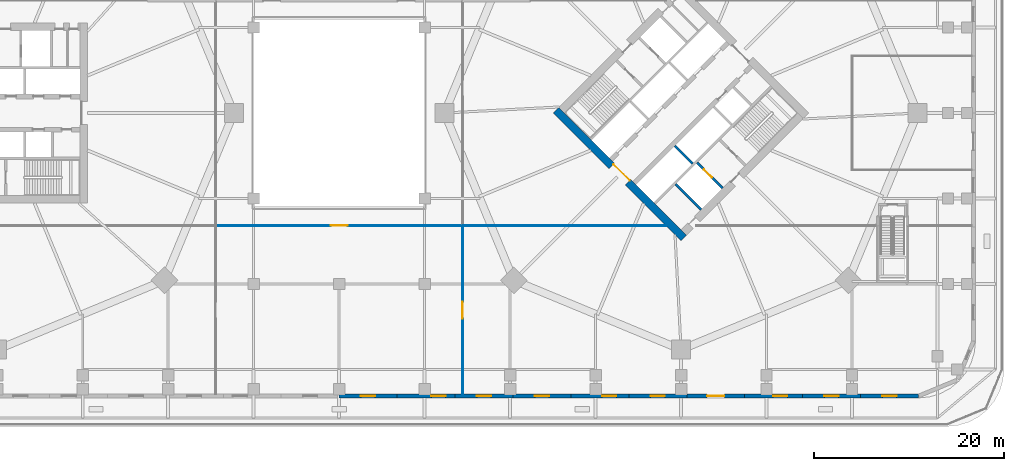
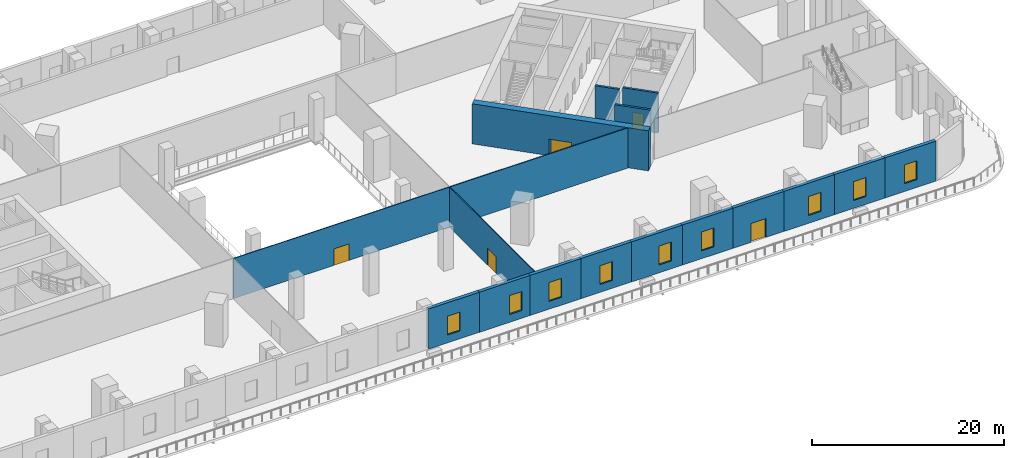
# One storey, part 7 of 19: 17 walls, 9 windows, 5 doors, 14 openings.
"""IFC4 building model written with IfcOpenShell, lengths in metres."""

from ifc_helpers import new_model, si_unit, direction, frame, frame_2d, origin, place, context, subcontext, project, spatial, rectangle, extrude, material, layer, layer_set, type_object, element, fill, save


model = new_model("IFC4")

# Units and contexts
model_context = context("Model", 3, precision=1e-05, world=origin(), true_north=direction((0.0, 1.0)))
body_context = subcontext(model_context, "Body", "Model", "MODEL_VIEW")
ifc_project = project(units=[si_unit("LENGTHUNIT", "METRE"), si_unit("AREAUNIT", "SQUARE_METRE"), si_unit("VOLUMEUNIT", "CUBIC_METRE"), si_unit("PLANEANGLEUNIT", "RADIAN"), si_unit("MASSUNIT", "GRAM", prefix="KILO")], contexts=[model_context])

# Site, building, storey
site_placement = place(None, origin())
site = spatial("IfcSite", under=ifc_project, at=site_placement, CompositionType="ELEMENT")
building_placement = place(site_placement, origin())
building = spatial("IfcBuilding", under=site, at=building_placement, Name="Ogive Gate Towers", CompositionType="ELEMENT")
storey_placement = place(building_placement, frame((0.0, 0.0, 12.60009765625)))
storey = spatial("IfcBuildingStorey", under=building, at=storey_placement, Name="L02", CompositionType="ELEMENT", Elevation=12.60009765625)

# Wall, opening, door
ifc_material_1 = material(Name="Concrete C60/75", Category="concrete")
ifc_layer_1 = layer(ifc_material_1, 0.800048828125)
ifc_layer_set_1 = layer_set([ifc_layer_1], Name="Core wall 800 mm")
wall_type_1 = type_object("IfcWallType", Name="Core wall 800 mm", PredefinedType="SHEAR", material=ifc_layer_set_1)
wall_1_placement = place(storey_placement, frame((36.28271484375, -13.152099609375, 0.0), z_axis=(0.0, 0.0, 1.0), x_axis=(-0.707106781187, 0.707106781187, 0.0)))
wall_1 = element("IfcWall", 1, at=wall_1_placement, inside=storey, type_object=wall_type_1, Name="T2 L02 Core wall 800 mm", PredefinedType="SHEAR", context=body_context, shape_type="SweptSolid", body=[
    extrude(rectangle(XDim=18.999755859375, YDim=0.800048828125, at=frame_2d((9.5, 0.0))), origin(), (0.0, 0.0, 1.0), 5.099853515625),
])
opening_1_placement = place(wall_1_placement, frame((8.300048828125, 0.0, 0.0)))
opening_1 = element("IfcOpeningElement", 2, at=opening_1_placement, cuts=wall_1, Name="Opening KD-T2-L02-01", PredefinedType="OPENING", context=body_context, shape_type="SweptSolid", body=[
    extrude(rectangle(XDim=2.39990234375, YDim=2.10009765625, at=frame_2d((1.199951171875, 1.050048828125))), frame((0.0, 0.41015625, 0.0), z_axis=(0.0, -1.0, 0.0), x_axis=(1.0, 0.0, 0.0)), (0.0, 0.0, 1.0), 0.820068359375),
])
ifc_material_2 = material(Name="Steel fire door", Category="steel")
door_type_1 = type_object("IfcDoorType", Name="Core double door FD60S 2400 x 2100", OperationType="DOUBLE_DOOR_SINGLE_SWING", PredefinedType="DOOR", material=ifc_material_2)
door_1_placement = place(opening_1_placement, origin())
door_1 = element("IfcDoor", 3, at=door_1_placement, inside=storey, type_object=door_type_1, Name="T2 L02 Core door double", OperationType="DOUBLE_DOOR_SINGLE_SWING", OverallHeight=2.10009765625, OverallWidth=2.39990234375, PredefinedType="DOOR", context=body_context, shape_type="SweptSolid", body=[
    extrude(rectangle(XDim=2.39990234375, YDim=2.10009765625, at=frame_2d((1.199951171875, 1.050048828125))), frame((0.0, -0.22509765625, 0.0), z_axis=(0.0, -1.0, 0.0), x_axis=(1.0, 0.0, 0.0)), (0.0, 0.0, 1.0), 0.050048828125),
])
fill(opening_1, door_1)

ifc_material_3 = material(Name="Gypsum board partition")
ifc_layer_2 = layer(ifc_material_3, 0.10009765625)
ifc_layer_set_2 = layer_set([ifc_layer_2], Name="Partition wall 100")
wall_type_2 = type_object("IfcWallType", Name="Partition wall 100", PredefinedType="PARTITIONING", material=ifc_layer_set_2)
wall_2_placement = place(storey_placement, frame((-13.0, -11.85009765625, 0.0), z_axis=(0.0, 0.0, 1.0), x_axis=(1.0, 0.0, 0.0)))
wall_2 = element("IfcWall", 4, at=wall_2_placement, inside=storey, type_object=wall_type_2, Name="L02 partition 049", PredefinedType="PARTITIONING", context=body_context, shape_type="SweptSolid", body=[
    extrude(rectangle(XDim=26.0, YDim=0.10009765625, at=frame_2d((13.0, 0.0))), origin(), (0.0, 0.0, 1.0), 5.099853515625),
])
opening_2_placement = place(wall_2_placement, frame((12.10009765625, 0.0, 0.0)))
opening_2 = element("IfcOpeningElement", 5, at=opening_2_placement, cuts=wall_2, Name="Opening PO171", PredefinedType="OPENING", context=body_context, shape_type="SweptSolid", body=[
    extrude(rectangle(XDim=1.800048828125, YDim=2.10009765625, at=frame_2d((0.89990234375, 1.050048828125))), frame((0.0, 0.06005859375, 0.0), z_axis=(0.0, -1.0, 0.0), x_axis=(1.0, 0.0, 0.0)), (0.0, 0.0, 1.0), 0.1201171875),
])
ifc_material_4 = material(Name="Timber door", Category="wood")
door_type_2 = type_object("IfcDoorType", Name="Double door 1800 x 2100", OperationType="NOTDEFINED", PredefinedType="DOOR", material=ifc_material_4)
door_2_placement = place(opening_2_placement, origin())
door_2 = element("IfcDoor", 6, at=door_2_placement, inside=storey, type_object=door_type_2, Name="Door PO171", OperationType="DOUBLE_DOOR_DOUBLE_SWING", OverallHeight=2.10009765625, OverallWidth=1.800048828125, PredefinedType="DOOR", context=body_context, shape_type="SweptSolid", body=[
    extrude(rectangle(XDim=1.800048828125, YDim=2.10009765625, at=frame_2d((0.89990234375, 1.050048828125))), frame((0.0, 0.02490234375, 0.0), z_axis=(0.0, -1.0, 0.0), x_axis=(1.0, 0.0, 0.0)), (0.0, 0.0, 1.0), 0.050048828125),
])
fill(opening_2, door_2)

wall_3_placement = place(storey_placement, frame((13.0, -29.60009765625, 0.0), z_axis=(0.0, 0.0, 1.0), x_axis=(0.0, 1.0, 0.0)))
wall_3 = element("IfcWall", 7, at=wall_3_placement, inside=storey, type_object=wall_type_2, Name="L02 partition 053", PredefinedType="PARTITIONING", context=body_context, shape_type="SweptSolid", body=[
    extrude(rectangle(XDim=17.7001953125, YDim=0.10009765625, at=frame_2d((8.85009765625, 0.0))), origin(), (0.0, 0.0, 1.0), 5.099853515625),
])
opening_3_placement = place(wall_3_placement, frame((7.949951171875, 0.0, 0.0)))
opening_3 = element("IfcOpeningElement", 8, at=opening_3_placement, cuts=wall_3, Name="Opening PO173", PredefinedType="OPENING", context=body_context, shape_type="SweptSolid", body=[
    extrude(rectangle(XDim=1.800048828125, YDim=2.10009765625, at=frame_2d((0.89990234375, 1.050048828125))), frame((0.0, 0.06005859375, 0.0), z_axis=(0.0, -1.0, 0.0), x_axis=(1.0, 0.0, 0.0)), (0.0, 0.0, 1.0), 0.1201171875),
])
door_3_placement = place(opening_3_placement, origin())
door_3 = element("IfcDoor", 9, at=door_3_placement, inside=storey, type_object=door_type_2, Name="Door PO173", OperationType="DOUBLE_DOOR_DOUBLE_SWING", OverallHeight=2.10009765625, OverallWidth=1.800048828125, PredefinedType="DOOR", context=body_context, shape_type="SweptSolid", body=[
    extrude(rectangle(XDim=1.800048828125, YDim=2.10009765625, at=frame_2d((0.89990234375, 1.050048828125))), frame((0.0, 0.02490234375, 0.0), z_axis=(0.0, -1.0, 0.0), x_axis=(1.0, 0.0, 0.0)), (0.0, 0.0, 1.0), 0.050048828125),
])
fill(opening_3, door_3)

# Wall
wall_4_placement = place(storey_placement, frame((13.0, -11.85009765625, 0.0), z_axis=(0.0, 0.0, 1.0), x_axis=(1.0, 0.0, 0.0)))
element("IfcWall", 10, at=wall_4_placement, inside=storey, type_object=wall_type_2, Name="L02 partition 055", PredefinedType="PARTITIONING", context=body_context, shape_type="SweptSolid", body=[
    extrude(rectangle(XDim=21.4150390625, YDim=0.10009765625, at=frame_2d((10.70751953125, 0.0))), origin(), (0.0, 0.0, 1.0), 5.099853515625),
])

# Wall, opening, window
ifc_material_5 = material(Name="Precast concrete C40/50", Category="concrete")
ifc_layer_3 = layer(ifc_material_5, 0.39990234375)
ifc_layer_set_3 = layer_set([ifc_layer_3], Name="Podium wall 400")
wall_type_3 = type_object("IfcWallType", Name="Podium wall 400", PredefinedType="SOLIDWALL", material=ifc_layer_set_3)
wall_5_placement = place(storey_placement, frame((0.0, -29.800048828125, 0.0), z_axis=(0.0, 0.0, 1.0), x_axis=(1.0, 0.0, 0.0)))
wall_5 = element("IfcWall", 11, at=wall_5_placement, inside=storey, type_object=wall_type_3, Name="Podium wall", PredefinedType="SOLIDWALL", context=body_context, shape_type="SweptSolid", body=[
    extrude(rectangle(XDim=6.10009765625, YDim=0.39990234375, at=frame_2d((3.050048828125, 0.0))), origin(), (0.0, 0.0, 1.0), 5.099853515625),
])
opening_4_placement = place(wall_5_placement, frame((2.300048828125, 0.0, 1.0)))
opening_4 = element("IfcOpeningElement", 12, at=opening_4_placement, cuts=wall_5, Name="Opening WN2", PredefinedType="OPENING", context=body_context, shape_type="SweptSolid", body=[
    extrude(rectangle(XDim=1.5, YDim=2.39990234375, at=frame_2d((0.75, 1.199951171875))), frame((0.0, 0.2099609375, 0.0), z_axis=(0.0, -1.0, 0.0), x_axis=(1.0, 0.0, 0.0)), (0.0, 0.0, 1.0), 0.419921875),
])
ifc_material_6 = material(Name="Clear glass", Category="glass")
window_type = type_object("IfcWindowType", Name="Podium window 1500 x 2400", PartitioningType="SINGLE_PANEL", PredefinedType="WINDOW", material=ifc_material_6)
window_1_placement = place(opening_4_placement, origin())
window_1 = element("IfcWindow", 13, at=window_1_placement, inside=storey, type_object=window_type, Name="Podium window", OverallHeight=2.39990234375, OverallWidth=1.5, PartitioningType="SINGLE_PANEL", PredefinedType="WINDOW", context=body_context, shape_type="SweptSolid", body=[
    extrude(rectangle(XDim=1.5, YDim=2.39990234375, at=frame_2d((0.75, 1.199951171875))), frame((0.0, 0.030029296875, 0.0), z_axis=(0.0, -1.0, 0.0), x_axis=(1.0, 0.0, 0.0)), (0.0, 0.0, 1.0), 0.06005859375),
])
fill(opening_4, window_1)

wall_6_placement = place(storey_placement, frame((6.10009765625, -29.800048828125, 0.0), z_axis=(0.0, 0.0, 1.0), x_axis=(1.0, 0.0, 0.0)))
wall_6 = element("IfcWall", 14, at=wall_6_placement, inside=storey, type_object=wall_type_3, Name="Podium wall", PredefinedType="SOLIDWALL", context=body_context, shape_type="SweptSolid", body=[
    extrude(rectangle(XDim=6.099853515625, YDim=0.39990234375, at=frame_2d((3.0498046875, 0.0))), origin(), (0.0, 0.0, 1.0), 5.099853515625),
])
opening_5_placement = place(wall_6_placement, frame((3.60009765625, 0.0, 1.0)))
opening_5 = element("IfcOpeningElement", 15, at=opening_5_placement, cuts=wall_6, Name="Opening WN2", PredefinedType="OPENING", context=body_context, shape_type="SweptSolid", body=[
    extrude(rectangle(XDim=1.5, YDim=2.39990234375, at=frame_2d((0.75, 1.199951171875))), frame((0.0, 0.2099609375, 0.0), z_axis=(0.0, -1.0, 0.0), x_axis=(1.0, 0.0, 0.0)), (0.0, 0.0, 1.0), 0.419921875),
])
window_2_placement = place(opening_5_placement, origin())
window_2 = element("IfcWindow", 16, at=window_2_placement, inside=storey, type_object=window_type, Name="Podium window", OverallHeight=2.39990234375, OverallWidth=1.5, PartitioningType="SINGLE_PANEL", PredefinedType="WINDOW", context=body_context, shape_type="SweptSolid", body=[
    extrude(rectangle(XDim=1.5, YDim=2.39990234375, at=frame_2d((0.75, 1.199951171875))), frame((0.0, 0.030029296875, 0.0), z_axis=(0.0, -1.0, 0.0), x_axis=(1.0, 0.0, 0.0)), (0.0, 0.0, 1.0), 0.06005859375),
])
fill(opening_5, window_2)

wall_7_placement = place(storey_placement, frame((12.199951171875, -29.800048828125, 0.0), z_axis=(0.0, 0.0, 1.0), x_axis=(1.0, 0.0, 0.0)))
wall_7 = element("IfcWall", 17, at=wall_7_placement, inside=storey, type_object=wall_type_3, Name="Podium wall", PredefinedType="SOLIDWALL", context=body_context, shape_type="SweptSolid", body=[
    extrude(rectangle(XDim=6.10009765625, YDim=0.39990234375, at=frame_2d((3.050048828125, 0.0))), origin(), (0.0, 0.0, 1.0), 5.099853515625),
])
opening_6_placement = place(wall_7_placement, frame((2.300048828125, 0.0, 1.0)))
opening_6 = element("IfcOpeningElement", 18, at=opening_6_placement, cuts=wall_7, Name="Opening WN2", PredefinedType="OPENING", context=body_context, shape_type="SweptSolid", body=[
    extrude(rectangle(XDim=1.5, YDim=2.39990234375, at=frame_2d((0.75, 1.199951171875))), frame((0.0, 0.2099609375, 0.0), z_axis=(0.0, -1.0, 0.0), x_axis=(1.0, 0.0, 0.0)), (0.0, 0.0, 1.0), 0.419921875),
])
window_3_placement = place(opening_6_placement, origin())
window_3 = element("IfcWindow", 19, at=window_3_placement, inside=storey, type_object=window_type, Name="Podium window", OverallHeight=2.39990234375, OverallWidth=1.5, PartitioningType="SINGLE_PANEL", PredefinedType="WINDOW", context=body_context, shape_type="SweptSolid", body=[
    extrude(rectangle(XDim=1.5, YDim=2.39990234375, at=frame_2d((0.75, 1.199951171875))), frame((0.0, 0.030029296875, 0.0), z_axis=(0.0, -1.0, 0.0), x_axis=(1.0, 0.0, 0.0)), (0.0, 0.0, 1.0), 0.06005859375),
])
fill(opening_6, window_3)

wall_8_placement = place(storey_placement, frame((18.300048828125, -29.800048828125, 0.0), z_axis=(0.0, 0.0, 1.0), x_axis=(1.0, 0.0, 0.0)))
wall_8 = element("IfcWall", 20, at=wall_8_placement, inside=storey, type_object=wall_type_3, Name="Podium wall", PredefinedType="SOLIDWALL", context=body_context, shape_type="SweptSolid", body=[
    extrude(rectangle(XDim=6.099853515625, YDim=0.39990234375, at=frame_2d((3.0498046875, 0.0))), origin(), (0.0, 0.0, 1.0), 5.099853515625),
])
opening_7_placement = place(wall_8_placement, frame((2.300048828125, 0.0, 1.0)))
opening_7 = element("IfcOpeningElement", 21, at=opening_7_placement, cuts=wall_8, Name="Opening WN2", PredefinedType="OPENING", context=body_context, shape_type="SweptSolid", body=[
    extrude(rectangle(XDim=1.5, YDim=2.39990234375, at=frame_2d((0.75, 1.199951171875))), frame((0.0, 0.2099609375, 0.0), z_axis=(0.0, -1.0, 0.0), x_axis=(1.0, 0.0, 0.0)), (0.0, 0.0, 1.0), 0.419921875),
])
window_4_placement = place(opening_7_placement, origin())
window_4 = element("IfcWindow", 22, at=window_4_placement, inside=storey, type_object=window_type, Name="Podium window", OverallHeight=2.39990234375, OverallWidth=1.5, PartitioningType="SINGLE_PANEL", PredefinedType="WINDOW", context=body_context, shape_type="SweptSolid", body=[
    extrude(rectangle(XDim=1.5, YDim=2.39990234375, at=frame_2d((0.75, 1.199951171875))), frame((0.0, 0.030029296875, 0.0), z_axis=(0.0, -1.0, 0.0), x_axis=(1.0, 0.0, 0.0)), (0.0, 0.0, 1.0), 0.06005859375),
])
fill(opening_7, window_4)

wall_9_placement = place(storey_placement, frame((24.39990234375, -29.800048828125, 0.0), z_axis=(0.0, 0.0, 1.0), x_axis=(1.0, 0.0, 0.0)))
wall_9 = element("IfcWall", 23, at=wall_9_placement, inside=storey, type_object=wall_type_3, Name="Podium wall", PredefinedType="SOLIDWALL", context=body_context, shape_type="SweptSolid", body=[
    extrude(rectangle(XDim=6.10009765625, YDim=0.39990234375, at=frame_2d((3.050048828125, 0.0))), origin(), (0.0, 0.0, 1.0), 5.099853515625),
])
opening_8_placement = place(wall_9_placement, frame((3.300048828125, 0.0, 1.0)))
opening_8 = element("IfcOpeningElement", 24, at=opening_8_placement, cuts=wall_9, Name="Opening WN2", PredefinedType="OPENING", context=body_context, shape_type="SweptSolid", body=[
    extrude(rectangle(XDim=1.5, YDim=2.39990234375, at=frame_2d((0.75, 1.199951171875))), frame((0.0, 0.2099609375, 0.0), z_axis=(0.0, -1.0, 0.0), x_axis=(1.0, 0.0, 0.0)), (0.0, 0.0, 1.0), 0.419921875),
])
window_5_placement = place(opening_8_placement, origin())
window_5 = element("IfcWindow", 25, at=window_5_placement, inside=storey, type_object=window_type, Name="Podium window", OverallHeight=2.39990234375, OverallWidth=1.5, PartitioningType="SINGLE_PANEL", PredefinedType="WINDOW", context=body_context, shape_type="SweptSolid", body=[
    extrude(rectangle(XDim=1.5, YDim=2.39990234375, at=frame_2d((0.75, 1.199951171875))), frame((0.0, 0.030029296875, 0.0), z_axis=(0.0, -1.0, 0.0), x_axis=(1.0, 0.0, 0.0)), (0.0, 0.0, 1.0), 0.06005859375),
])
fill(opening_8, window_5)

wall_10_placement = place(storey_placement, frame((30.5, -29.800048828125, 0.0), z_axis=(0.0, 0.0, 1.0), x_axis=(1.0, 0.0, 0.0)))
wall_10 = element("IfcWall", 26, at=wall_10_placement, inside=storey, type_object=wall_type_3, Name="Podium wall", PredefinedType="SOLIDWALL", context=body_context, shape_type="SweptSolid", body=[
    extrude(rectangle(XDim=6.10009765625, YDim=0.39990234375, at=frame_2d((3.050048828125, 0.0))), origin(), (0.0, 0.0, 1.0), 5.099853515625),
])
opening_9_placement = place(wall_10_placement, frame((2.300048828125, 0.0, 1.0)))
opening_9 = element("IfcOpeningElement", 27, at=opening_9_placement, cuts=wall_10, Name="Opening WN2", PredefinedType="OPENING", context=body_context, shape_type="SweptSolid", body=[
    extrude(rectangle(XDim=1.5, YDim=2.39990234375, at=frame_2d((0.75, 1.199951171875))), frame((0.0, 0.2099609375, 0.0), z_axis=(0.0, -1.0, 0.0), x_axis=(1.0, 0.0, 0.0)), (0.0, 0.0, 1.0), 0.419921875),
])
window_6_placement = place(opening_9_placement, origin())
window_6 = element("IfcWindow", 28, at=window_6_placement, inside=storey, type_object=window_type, Name="Podium window", OverallHeight=2.39990234375, OverallWidth=1.5, PartitioningType="SINGLE_PANEL", PredefinedType="WINDOW", context=body_context, shape_type="SweptSolid", body=[
    extrude(rectangle(XDim=1.5, YDim=2.39990234375, at=frame_2d((0.75, 1.199951171875))), frame((0.0, 0.030029296875, 0.0), z_axis=(0.0, -1.0, 0.0), x_axis=(1.0, 0.0, 0.0)), (0.0, 0.0, 1.0), 0.06005859375),
])
fill(opening_9, window_6)

# Wall, opening, door
wall_11_placement = place(storey_placement, frame((36.60009765625, -29.800048828125, 0.0), z_axis=(0.0, 0.0, 1.0), x_axis=(1.0, 0.0, 0.0)))
wall_11 = element("IfcWall", 29, at=wall_11_placement, inside=storey, type_object=wall_type_3, Name="Podium wall", PredefinedType="SOLIDWALL", context=body_context, shape_type="SweptSolid", body=[
    extrude(rectangle(XDim=6.099853515625, YDim=0.39990234375, at=frame_2d((3.0498046875, 0.0))), origin(), (0.0, 0.0, 1.0), 5.099853515625),
])
opening_10_placement = place(wall_11_placement, frame((2.14990234375, 0.0, 0.0)))
opening_10 = element("IfcOpeningElement", 30, at=opening_10_placement, cuts=wall_11, Name="Opening ED3-L02-06", PredefinedType="OPENING", context=body_context, shape_type="SweptSolid", body=[
    extrude(rectangle(XDim=1.800048828125, YDim=2.39990234375, at=frame_2d((0.89990234375, 1.199951171875))), frame((0.0, 0.2099609375, 0.0), z_axis=(0.0, -1.0, 0.0), x_axis=(1.0, 0.0, 0.0)), (0.0, 0.0, 1.0), 0.419921875),
])
ifc_material_7 = material(Name="Pale metal aluminium", Category="aluminium")
door_type_3 = type_object("IfcDoorType", Name="Terrace door 1800 x 2400", OperationType="DOUBLE_DOOR_SINGLE_SWING", PredefinedType="DOOR", material=ifc_material_7)
door_4_placement = place(opening_10_placement, origin())
door_4 = element("IfcDoor", 31, at=door_4_placement, inside=storey, type_object=door_type_3, Name="Exterior door", OperationType="SINGLE_SWING_LEFT", OverallHeight=2.39990234375, OverallWidth=1.800048828125, PredefinedType="DOOR", context=body_context, shape_type="SweptSolid", body=[
    extrude(rectangle(XDim=1.800048828125, YDim=2.39990234375, at=frame_2d((0.89990234375, 1.199951171875))), frame((0.0, 0.02490234375, 0.0), z_axis=(0.0, -1.0, 0.0), x_axis=(1.0, 0.0, 0.0)), (0.0, 0.0, 1.0), 0.050048828125),
])
fill(opening_10, door_4)

# Wall, opening, window
wall_12_placement = place(storey_placement, frame((42.699951171875, -29.800048828125, 0.0), z_axis=(0.0, 0.0, 1.0), x_axis=(1.0, 0.0, 0.0)))
wall_12 = element("IfcWall", 32, at=wall_12_placement, inside=storey, type_object=wall_type_3, Name="Podium wall", PredefinedType="SOLIDWALL", context=body_context, shape_type="SweptSolid", body=[
    extrude(rectangle(XDim=6.10009765625, YDim=0.39990234375, at=frame_2d((3.050048828125, 0.0))), origin(), (0.0, 0.0, 1.0), 5.099853515625),
])
opening_11_placement = place(wall_12_placement, frame((3.0, 0.0, 1.0)))
opening_11 = element("IfcOpeningElement", 33, at=opening_11_placement, cuts=wall_12, Name="Opening WN2", PredefinedType="OPENING", context=body_context, shape_type="SweptSolid", body=[
    extrude(rectangle(XDim=1.5, YDim=2.39990234375, at=frame_2d((0.75, 1.199951171875))), frame((0.0, 0.2099609375, 0.0), z_axis=(0.0, -1.0, 0.0), x_axis=(1.0, 0.0, 0.0)), (0.0, 0.0, 1.0), 0.419921875),
])
window_7_placement = place(opening_11_placement, origin())
window_7 = element("IfcWindow", 34, at=window_7_placement, inside=storey, type_object=window_type, Name="Podium window", OverallHeight=2.39990234375, OverallWidth=1.5, PartitioningType="SINGLE_PANEL", PredefinedType="WINDOW", context=body_context, shape_type="SweptSolid", body=[
    extrude(rectangle(XDim=1.5, YDim=2.39990234375, at=frame_2d((0.75, 1.199951171875))), frame((0.0, 0.030029296875, 0.0), z_axis=(0.0, -1.0, 0.0), x_axis=(1.0, 0.0, 0.0)), (0.0, 0.0, 1.0), 0.06005859375),
])
fill(opening_11, window_7)

wall_13_placement = place(storey_placement, frame((48.800048828125, -29.800048828125, 0.0), z_axis=(0.0, 0.0, 1.0), x_axis=(1.0, 0.0, 0.0)))
wall_13 = element("IfcWall", 35, at=wall_13_placement, inside=storey, type_object=wall_type_3, Name="Podium wall", PredefinedType="SOLIDWALL", context=body_context, shape_type="SweptSolid", body=[
    extrude(rectangle(XDim=6.099853515625, YDim=0.39990234375, at=frame_2d((3.0498046875, 0.0))), origin(), (0.0, 0.0, 1.0), 5.099853515625),
])
opening_12_placement = place(wall_13_placement, frame((2.300048828125, 0.0, 1.0)))
opening_12 = element("IfcOpeningElement", 36, at=opening_12_placement, cuts=wall_13, Name="Opening WN2", PredefinedType="OPENING", context=body_context, shape_type="SweptSolid", body=[
    extrude(rectangle(XDim=1.5, YDim=2.39990234375, at=frame_2d((0.75, 1.199951171875))), frame((0.0, 0.2099609375, 0.0), z_axis=(0.0, -1.0, 0.0), x_axis=(1.0, 0.0, 0.0)), (0.0, 0.0, 1.0), 0.419921875),
])
window_8_placement = place(opening_12_placement, origin())
window_8 = element("IfcWindow", 37, at=window_8_placement, inside=storey, type_object=window_type, Name="Podium window", OverallHeight=2.39990234375, OverallWidth=1.5, PartitioningType="SINGLE_PANEL", PredefinedType="WINDOW", context=body_context, shape_type="SweptSolid", body=[
    extrude(rectangle(XDim=1.5, YDim=2.39990234375, at=frame_2d((0.75, 1.199951171875))), frame((0.0, 0.030029296875, 0.0), z_axis=(0.0, -1.0, 0.0), x_axis=(1.0, 0.0, 0.0)), (0.0, 0.0, 1.0), 0.06005859375),
])
fill(opening_12, window_8)

wall_14_placement = place(storey_placement, frame((54.89990234375, -29.800048828125, 0.0), z_axis=(0.0, 0.0, 1.0), x_axis=(1.0, 0.0, 0.0)))
wall_14 = element("IfcWall", 38, at=wall_14_placement, inside=storey, type_object=wall_type_3, Name="Podium wall", PredefinedType="SOLIDWALL", context=body_context, shape_type="SweptSolid", body=[
    extrude(rectangle(XDim=6.10009765625, YDim=0.39990234375, at=frame_2d((3.050048828125, 0.0))), origin(), (0.0, 0.0, 1.0), 5.099853515625),
])
opening_13_placement = place(wall_14_placement, frame((2.300048828125, 0.0, 1.0)))
opening_13 = element("IfcOpeningElement", 39, at=opening_13_placement, cuts=wall_14, Name="Opening WN2", PredefinedType="OPENING", context=body_context, shape_type="SweptSolid", body=[
    extrude(rectangle(XDim=1.5, YDim=2.39990234375, at=frame_2d((0.75, 1.199951171875))), frame((0.0, 0.2099609375, 0.0), z_axis=(0.0, -1.0, 0.0), x_axis=(1.0, 0.0, 0.0)), (0.0, 0.0, 1.0), 0.419921875),
])
window_9_placement = place(opening_13_placement, origin())
window_9 = element("IfcWindow", 40, at=window_9_placement, inside=storey, type_object=window_type, Name="Podium window", OverallHeight=2.39990234375, OverallWidth=1.5, PartitioningType="SINGLE_PANEL", PredefinedType="WINDOW", context=body_context, shape_type="SweptSolid", body=[
    extrude(rectangle(XDim=1.5, YDim=2.39990234375, at=frame_2d((0.75, 1.199951171875))), frame((0.0, 0.030029296875, 0.0), z_axis=(0.0, -1.0, 0.0), x_axis=(1.0, 0.0, 0.0)), (0.0, 0.0, 1.0), 0.06005859375),
])
fill(opening_13, window_9)

# Walls
ifc_layer_4 = layer(ifc_material_1, 0.25)
ifc_layer_set_4 = layer_set([ifc_layer_4], Name="Shaft wall 250 mm")
wall_type_4 = type_object("IfcWallType", Name="Shaft wall 250 mm", PredefinedType="SHEAR", material=ifc_layer_set_4)
wall_15_placement = place(storey_placement, frame((38.121337890625, -10.182373046875, 0.0), z_axis=(0.0, 0.0, 1.0), x_axis=(-0.707138693938, 0.707074866995, 0.0)))
element("IfcWall", 41, at=wall_15_placement, inside=storey, type_object=wall_type_4, Name="T2 L02 Shaft wall 250 mm", PredefinedType="SHEAR", context=body_context, shape_type="SweptSolid", body=[
    extrude(rectangle(XDim=3.824951171875, YDim=0.25, at=frame_2d((1.91259765625, 0.0))), origin(), (0.0, 0.0, 1.0), 5.099853515625),
])
wall_16_placement = place(storey_placement, frame((37.2197265625, -5.321044921875, 0.0), z_axis=(0.0, 0.0, 1.0), x_axis=(-0.707106781187, 0.707106781187, 0.0)))
element("IfcWall", 42, at=wall_16_placement, inside=storey, type_object=wall_type_4, Name="T2 L02 Shaft wall 250 mm", PredefinedType="SHEAR", context=body_context, shape_type="SweptSolid", body=[
    extrude(rectangle(XDim=2.625, YDim=0.25, at=frame_2d((1.3125, 0.0))), origin(), (0.0, 0.0, 1.0), 5.099853515625),
])

# Wall, opening, door
wall_17_placement = place(storey_placement, frame((40.384033203125, -7.919677734375, 0.0), z_axis=(0.0, 0.0, 1.0), x_axis=(-0.707074866995, 0.707138693938, 0.0)))
wall_17 = element("IfcWall", 43, at=wall_17_placement, inside=storey, type_object=wall_type_4, Name="T2 L02 Shaft wall 250 mm", PredefinedType="SHEAR", context=body_context, shape_type="SweptSolid", body=[
    extrude(rectangle(XDim=3.824951171875, YDim=0.25, at=frame_2d((1.91259765625, 0.0))), origin(), (0.0, 0.0, 1.0), 5.099853515625),
])
opening_14_placement = place(wall_17_placement, frame((1.60009765625, 0.0, 0.0)))
opening_14 = element("IfcOpeningElement", 44, at=opening_14_placement, cuts=wall_17, Name="Opening LD-T2-L02-11", PredefinedType="OPENING", context=body_context, shape_type="SweptSolid", body=[
    extrude(rectangle(XDim=1.199951171875, YDim=2.10009765625, at=frame_2d((0.60009765625, 1.050048828125))), frame((0.0, 0.135009765625, 0.0), z_axis=(0.0, -1.0, 0.0), x_axis=(1.0, 0.0, 0.0)), (0.0, 0.0, 1.0), 0.27001953125),
])
ifc_material_8 = material(Name="Stainless steel landing door", Category="steel")
door_type_4 = type_object("IfcDoorType", Name="Landing door 1200 x 2100", OperationType="SLIDING_TO_LEFT", PredefinedType="DOOR", material=ifc_material_8)
door_5_placement = place(opening_14_placement, origin())
door_5 = element("IfcDoor", 45, at=door_5_placement, inside=storey, type_object=door_type_4, Name="T2 L02 Lift landing door FF2", OperationType="SLIDING_TO_LEFT", OverallHeight=2.10009765625, OverallWidth=1.199951171875, PredefinedType="DOOR", context=body_context, shape_type="SweptSolid", body=[
    extrude(rectangle(XDim=1.199951171875, YDim=2.10009765625, at=frame_2d((0.60009765625, 1.050048828125))), frame((0.0, 0.02490234375, 0.0), z_axis=(0.0, -1.0, 0.0), x_axis=(1.0, 0.0, 0.0)), (0.0, 0.0, 1.0), 0.050048828125),
])
fill(opening_14, door_5)

save(model, "model.ifc")
